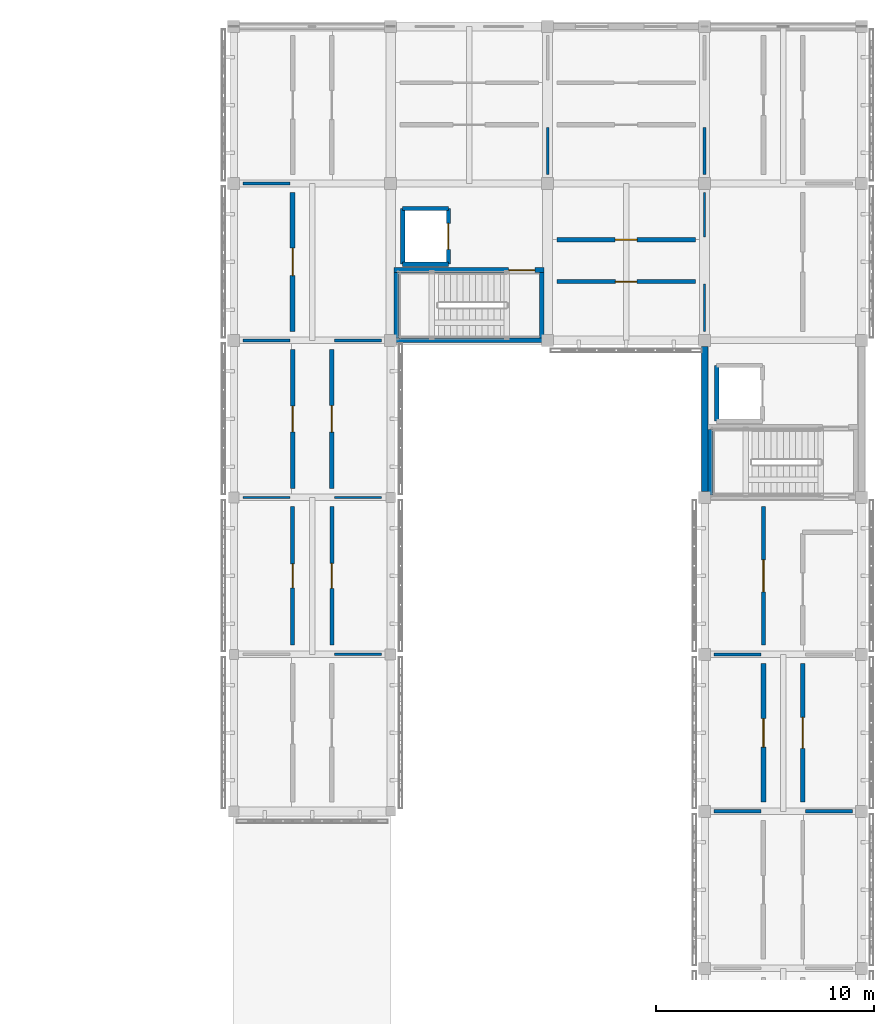
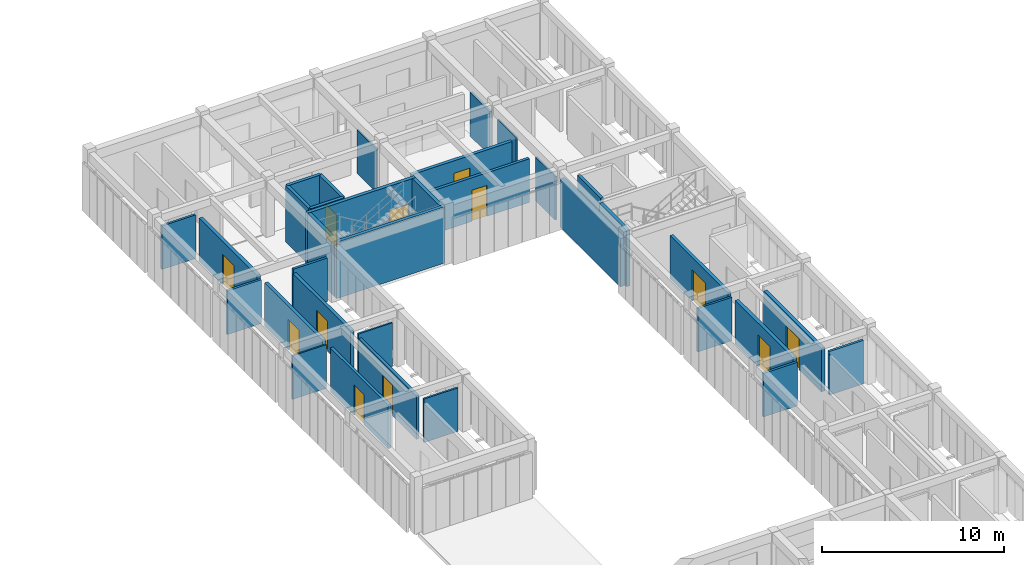
# One storey, part 58 of 67: 34 walls, 12 doors, 12 openings.
"""IFC4 building model written with IfcOpenShell, lengths in metres."""

from ifc_helpers import new_model, si_unit, direction, frame, frame_2d, origin, place, context, subcontext, project, spatial, rectangle, extrude, material, layer, layer_set, type_object, element, fill, save


model = new_model("IFC4")

# Units and contexts
model_context = context("Model", 3, precision=1e-05, world=origin(), true_north=direction((0.0, 1.0)))
body_context = subcontext(model_context, "Body", "Model", "MODEL_VIEW")
ifc_project = project(units=[si_unit("LENGTHUNIT", "METRE"), si_unit("AREAUNIT", "SQUARE_METRE"), si_unit("VOLUMEUNIT", "CUBIC_METRE"), si_unit("PLANEANGLEUNIT", "RADIAN"), si_unit("MASSUNIT", "GRAM", prefix="KILO")], contexts=[model_context])

# Site, building, storey
site_placement = place(None, origin())
site = spatial("IfcSite", under=ifc_project, at=site_placement, CompositionType="ELEMENT")
building_placement = place(site_placement, origin())
building = spatial("IfcBuilding", under=site, at=building_placement, Name="Aldebral Square Health Centre", CompositionType="ELEMENT")
storey_placement = place(building_placement, frame((0.0, 0.0, 13.5)))
storey = spatial("IfcBuildingStorey", under=building, at=storey_placement, Name="L03", CompositionType="ELEMENT", Elevation=13.5)

# Wall
ifc_material_1 = material(Name="Precast concrete C40/50 insulated panel", Category="concrete")
ifc_layer_1 = layer(ifc_material_1, 0.300048828125, Name="Precast concrete C40/50 insulated panel", Category="concrete")
ifc_layer_set_1 = layer_set([ifc_layer_1], Name="Precast concrete C40/50 insulated panel")
wall_type_1 = type_object("IfcWallType", Name="EW-PRE-300", PredefinedType="STANDARD", material=ifc_layer_set_1)
wall_1_placement = place(storey_placement, frame((158.39990234375, 100.52490234375, 0.0), z_axis=(0.0, 0.0, 1.0), x_axis=(0.0, -1.0, 0.0)))
element("IfcWall", 1, at=wall_1_placement, inside=storey, type_object=wall_type_1, Name="L03 V5 exterior wall L03-V5-22-13-W", PredefinedType="STANDARD", context=body_context, shape_type="SweptSolid", body=[
    extrude(rectangle(XDim=6.64990234375, YDim=0.300048828125, at=frame_2d((3.324951171875, 0.0))), origin(), (0.0, 0.0, 1.0), 3.239990234375),
])

# Wall, opening, door
ifc_material_2 = material(Name="Concrete C35/45 compartment wall", Category="concrete")
ifc_layer_2 = layer(ifc_material_2, 0.199951171875, Name="Concrete C35/45 compartment wall", Category="concrete")
ifc_layer_set_2 = layer_set([ifc_layer_2], Name="Concrete C35/45 compartment wall")
wall_type_2 = type_object("IfcWallType", Name="IW-CMP-200", PredefinedType="SOLIDWALL", material=ifc_layer_set_2)
wall_2_placement = place(storey_placement, frame((161.10009765625, 86.820068359375, 0.0), z_axis=(0.0, 0.0, 1.0), x_axis=(0.0, 1.0, 0.0)))
wall_2 = element("IfcWall", 2, at=wall_2_placement, inside=storey, type_object=wall_type_2, Name="L03 Clinical Nutrition Office 23.13W corridor wall", PredefinedType="SOLIDWALL", context=body_context, shape_type="SweptSolid", body=[
    extrude(rectangle(XDim=6.35986328125, YDim=0.199951171875, at=frame_2d((3.179931640625, 0.0))), origin(), (0.0, 0.0, 1.0), 2.929931640625),
])
opening_1_placement = place(wall_2_placement, frame((2.449951171875, 0.0, 0.0)))
opening_1 = element("IfcOpeningElement", 3, at=opening_1_placement, cuts=wall_2, Name="Opening D-0597", PredefinedType="OPENING", context=body_context, shape_type="SweptSolid", body=[
    extrude(rectangle(XDim=1.4599609375, YDim=2.090087890625, at=frame_2d((0.72998046875, 1.044921875))), frame((0.0, 0.10986328125, 0.0), z_axis=(0.0, -1.0, 0.0), x_axis=(1.0, 0.0, 0.0)), (0.0, 0.0, 1.0), 0.219970703125),
])
ifc_material_3 = material(Name="Clinical suite fire door")
door_type_1 = type_object("IfcDoorType", Name="ID-EXD-30", OperationType="NOTDEFINED", PredefinedType="DOOR", material=ifc_material_3)
door_1_placement = place(opening_1_placement, origin())
door_1 = element("IfcDoor", 4, at=door_1_placement, inside=storey, type_object=door_type_1, Name="L03 Clinical Nutrition Office 23.13W door", OperationType="SINGLE_SWING_RIGHT", OverallHeight=2.090087890625, OverallWidth=1.4599609375, PredefinedType="DOOR", context=body_context, shape_type="SweptSolid", body=[
    extrude(rectangle(XDim=1.4599609375, YDim=2.090087890625, at=frame_2d((0.72998046875, 1.044921875))), frame((0.0, 0.02490234375, 0.0), z_axis=(0.0, -1.0, 0.0), x_axis=(1.0, 0.0, 0.0)), (0.0, 0.0, 1.0), 0.050048828125),
])
fill(opening_1, door_1)

ifc_layer_3 = layer(ifc_material_2, 0.219970703125, Name="Concrete C35/45 compartment wall", Category="concrete")
ifc_layer_set_3 = layer_set([ifc_layer_3], Name="Concrete C35/45 compartment wall")
wall_type_3 = type_object("IfcWallType", Name="IW-CMP-220", PredefinedType="SOLIDWALL", material=ifc_layer_set_3)
wall_3_placement = place(storey_placement, frame((139.5, 101.219970703125, 0.0), z_axis=(0.0, 0.0, 1.0), x_axis=(0.0, 1.0, 0.0)))
wall_3 = element("IfcWall", 5, at=wall_3_placement, inside=storey, type_object=wall_type_3, Name="L03 Cardiology Diagnostic Clinic 20.15W corridor wall", PredefinedType="SOLIDWALL", context=body_context, shape_type="SweptSolid", body=[
    extrude(rectangle(XDim=6.360107421875, YDim=0.219970703125, at=frame_2d((3.18017578125, 0.0))), origin(), (0.0, 0.0, 1.0), 2.929931640625),
])
opening_2_placement = place(wall_3_placement, frame((2.550048828125, 0.0, 0.0)))
opening_2 = element("IfcOpeningElement", 6, at=opening_2_placement, cuts=wall_3, Name="Opening D-0576", PredefinedType="OPENING", context=body_context, shape_type="SweptSolid", body=[
    extrude(rectangle(XDim=1.260009765625, YDim=2.0400390625, at=frame_2d((0.6298828125, 1.02001953125))), frame((0.0, 0.1201171875, 0.0), z_axis=(0.0, -1.0, 0.0), x_axis=(1.0, 0.0, 0.0)), (0.0, 0.0, 1.0), 0.239990234375),
])
door_type_2 = type_object("IfcDoorType", Name="ID-EXD-09", OperationType="NOTDEFINED", PredefinedType="DOOR", material=ifc_material_3)
door_2_placement = place(opening_2_placement, origin())
door_2 = element("IfcDoor", 7, at=door_2_placement, inside=storey, type_object=door_type_2, Name="L03 Cardiology Diagnostic Clinic 20.15W door", OperationType="SINGLE_SWING_LEFT", OverallHeight=2.0400390625, OverallWidth=1.260009765625, PredefinedType="DOOR", context=body_context, shape_type="SweptSolid", body=[
    extrude(rectangle(XDim=1.260009765625, YDim=2.0400390625, at=frame_2d((0.6298828125, 1.02001953125))), frame((0.0, 0.02490234375, 0.0), z_axis=(0.0, -1.0, 0.0), x_axis=(1.0, 0.0, 0.0)), (0.0, 0.0, 1.0), 0.050048828125),
])
fill(opening_2, door_2)

wall_4_placement = place(storey_placement, frame((161.10009765625, 79.6201171875, 0.0), z_axis=(0.0, 0.0, 1.0), x_axis=(0.0, 1.0, 0.0)))
wall_4 = element("IfcWall", 8, at=wall_4_placement, inside=storey, type_object=wall_type_3, Name="L03 ECG Stress Test Suite 23.12W corridor wall", PredefinedType="SOLIDWALL", context=body_context, shape_type="SweptSolid", body=[
    extrude(rectangle(XDim=6.35986328125, YDim=0.219970703125, at=frame_2d((3.179931640625, 0.0))), origin(), (0.0, 0.0, 1.0), 2.929931640625),
])
opening_3_placement = place(wall_4_placement, frame((2.530029296875, 0.0, 0.0)))
opening_3 = element("IfcOpeningElement", 9, at=opening_3_placement, cuts=wall_4, Name="Opening D-0595", PredefinedType="OPENING", context=body_context, shape_type="SweptSolid", body=[
    extrude(rectangle(XDim=1.300048828125, YDim=2.14990234375, at=frame_2d((0.64990234375, 1.074951171875))), frame((0.0, 0.1201171875, 0.0), z_axis=(0.0, -1.0, 0.0), x_axis=(1.0, 0.0, 0.0)), (0.0, 0.0, 1.0), 0.239990234375),
])
ifc_material_4 = material(Name="Radiography shielded fire door")
door_type_3 = type_object("IfcDoorType", Name="ID-IM-130", OperationType="NOTDEFINED", PredefinedType="DOOR", material=ifc_material_4)
door_3_placement = place(opening_3_placement, origin())
door_3 = element("IfcDoor", 10, at=door_3_placement, inside=storey, type_object=door_type_3, Name="L03 ECG Stress Test Suite 23.12W door", OperationType="SINGLE_SWING_RIGHT", OverallHeight=2.14990234375, OverallWidth=1.300048828125, PredefinedType="DOOR", context=body_context, shape_type="SweptSolid", body=[
    extrude(rectangle(XDim=1.300048828125, YDim=2.14990234375, at=frame_2d((0.64990234375, 1.074951171875))), frame((0.0, 0.02490234375, 0.0), z_axis=(0.0, -1.0, 0.0), x_axis=(1.0, 0.0, 0.0)), (0.0, 0.0, 1.0), 0.050048828125),
])
fill(opening_3, door_3)

wall_5_placement = place(storey_placement, frame((162.89990234375, 79.6201171875, 0.0), z_axis=(0.0, 0.0, 1.0), x_axis=(0.0, 1.0, 0.0)))
wall_5 = element("IfcWall", 11, at=wall_5_placement, inside=storey, type_object=wall_type_3, Name="L03 Endocrinology Specialist Clinic 23.12E corridor wall", PredefinedType="SOLIDWALL", context=body_context, shape_type="SweptSolid", body=[
    extrude(rectangle(XDim=6.35986328125, YDim=0.219970703125, at=frame_2d((3.179931640625, 0.0))), origin(), (0.0, 0.0, 1.0), 2.929931640625),
])
opening_4_placement = place(wall_5_placement, frame((2.469970703125, 0.0, 0.0)))
opening_4 = element("IfcOpeningElement", 12, at=opening_4_placement, cuts=wall_5, Name="Opening D-0596", PredefinedType="OPENING", context=body_context, shape_type="SweptSolid", body=[
    extrude(rectangle(XDim=1.419921875, YDim=2.090087890625, at=frame_2d((0.7099609375, 1.044921875))), frame((0.0, 0.1201171875, 0.0), z_axis=(0.0, -1.0, 0.0), x_axis=(1.0, 0.0, 0.0)), (0.0, 0.0, 1.0), 0.239990234375),
])
door_type_4 = type_object("IfcDoorType", Name="ID-EXD-29", OperationType="NOTDEFINED", PredefinedType="DOOR", material=ifc_material_3)
door_4_placement = place(opening_4_placement, origin())
door_4 = element("IfcDoor", 13, at=door_4_placement, inside=storey, type_object=door_type_4, Name="L03 Endocrinology Specialist Clinic 23.12E door", OperationType="SINGLE_SWING_LEFT", OverallHeight=2.090087890625, OverallWidth=1.419921875, PredefinedType="DOOR", context=body_context, shape_type="SweptSolid", body=[
    extrude(rectangle(XDim=1.419921875, YDim=2.090087890625, at=frame_2d((0.7099609375, 1.044921875))), frame((0.0, 0.02490234375, 0.0), z_axis=(0.0, -1.0, 0.0), x_axis=(1.0, 0.0, 0.0)), (0.0, 0.0, 1.0), 0.050048828125),
])
fill(opening_4, door_4)

ifc_material_5 = material(Name="Fire-rated acoustic gypsum partition")
ifc_layer_4 = layer(ifc_material_5, 0.179931640625, Name="Fire-rated acoustic gypsum partition")
ifc_layer_set_4 = layer_set([ifc_layer_4], Name="Fire-rated acoustic gypsum partition")
wall_type_4 = type_object("IfcWallType", Name="IW-COR-180", PredefinedType="PARTITIONING", material=ifc_layer_set_4)
wall_6_placement = place(storey_placement, frame((139.5, 86.820068359375, 0.0), z_axis=(0.0, 0.0, 1.0), x_axis=(0.0, 1.0, 0.0)))
wall_6 = element("IfcWall", 14, at=wall_6_placement, inside=storey, type_object=wall_type_4, Name="L03 Endocrinology Specialist Clinic 20.13W corridor wall", PredefinedType="PARTITIONING", context=body_context, shape_type="SweptSolid", body=[
    extrude(rectangle(XDim=6.35986328125, YDim=0.179931640625, at=frame_2d((3.179931640625, 0.0))), origin(), (0.0, 0.0, 1.0), 2.929931640625),
])
opening_5_placement = place(wall_6_placement, frame((2.6298828125, 0.0, 0.0)))
opening_5 = element("IfcOpeningElement", 15, at=opening_5_placement, cuts=wall_6, Name="Opening D-0572", PredefinedType="OPENING", context=body_context, shape_type="SweptSolid", body=[
    extrude(rectangle(XDim=1.10009765625, YDim=2.0400390625, at=frame_2d((0.550048828125, 1.02001953125))), frame((0.0, 0.10009765625, 0.0), z_axis=(0.0, -1.0, 0.0), x_axis=(1.0, 0.0, 0.0)), (0.0, 0.0, 1.0), 0.199951171875),
])
door_type_5 = type_object("IfcDoorType", Name="ID-EXD-05", OperationType="NOTDEFINED", PredefinedType="DOOR", material=ifc_material_3)
door_5_placement = place(opening_5_placement, origin())
door_5 = element("IfcDoor", 16, at=door_5_placement, inside=storey, type_object=door_type_5, Name="L03 Endocrinology Specialist Clinic 20.13W door", OperationType="SINGLE_SWING_LEFT", OverallHeight=2.0400390625, OverallWidth=1.10009765625, PredefinedType="DOOR", context=body_context, shape_type="SweptSolid", body=[
    extrude(rectangle(XDim=1.10009765625, YDim=2.0400390625, at=frame_2d((0.550048828125, 1.02001953125))), frame((0.0, 0.02490234375, 0.0), z_axis=(0.0, -1.0, 0.0), x_axis=(1.0, 0.0, 0.0)), (0.0, 0.0, 1.0), 0.050048828125),
])
fill(opening_5, door_5)

wall_7_placement = place(storey_placement, frame((141.300048828125, 86.820068359375, 0.0), z_axis=(0.0, 0.0, 1.0), x_axis=(0.0, 1.0, 0.0)))
wall_7 = element("IfcWall", 17, at=wall_7_placement, inside=storey, type_object=wall_type_4, Name="L03 Clinical Nutrition Office 20.13E corridor wall", PredefinedType="PARTITIONING", context=body_context, shape_type="SweptSolid", body=[
    extrude(rectangle(XDim=6.35986328125, YDim=0.179931640625, at=frame_2d((3.179931640625, 0.0))), origin(), (0.0, 0.0, 1.0), 2.929931640625),
])
opening_6_placement = place(wall_7_placement, frame((2.610107421875, 0.0, 0.0)))
opening_6 = element("IfcOpeningElement", 18, at=opening_6_placement, cuts=wall_7, Name="Opening D-0573", PredefinedType="OPENING", context=body_context, shape_type="SweptSolid", body=[
    extrude(rectangle(XDim=1.139892578125, YDim=2.0400390625, at=frame_2d((0.56982421875, 1.02001953125))), frame((0.0, 0.10009765625, 0.0), z_axis=(0.0, -1.0, 0.0), x_axis=(1.0, 0.0, 0.0)), (0.0, 0.0, 1.0), 0.199951171875),
])
door_type_6 = type_object("IfcDoorType", Name="ID-EXD-06", OperationType="NOTDEFINED", PredefinedType="DOOR", material=ifc_material_3)
door_6_placement = place(opening_6_placement, origin())
door_6 = element("IfcDoor", 19, at=door_6_placement, inside=storey, type_object=door_type_6, Name="L03 Clinical Nutrition Office 20.13E door", OperationType="SINGLE_SWING_RIGHT", OverallHeight=2.0400390625, OverallWidth=1.139892578125, PredefinedType="DOOR", context=body_context, shape_type="SweptSolid", body=[
    extrude(rectangle(XDim=1.139892578125, YDim=2.0400390625, at=frame_2d((0.56982421875, 1.02001953125))), frame((0.0, 0.02490234375, 0.0), z_axis=(0.0, -1.0, 0.0), x_axis=(1.0, 0.0, 0.0)), (0.0, 0.0, 1.0), 0.050048828125),
])
fill(opening_6, door_6)

wall_8_placement = place(storey_placement, frame((151.6201171875, 103.5, 0.0), z_axis=(0.0, 0.0, 1.0), x_axis=(1.0, 0.0, 0.0)))
wall_8 = element("IfcWall", 20, at=wall_8_placement, inside=storey, type_object=wall_type_4, Name="L03 Clinical Nutrition Office 22.15S corridor wall", PredefinedType="PARTITIONING", context=body_context, shape_type="SweptSolid", body=[
    extrude(rectangle(XDim=6.35986328125, YDim=0.179931640625, at=frame_2d((3.179931640625, 0.0))), origin(), (0.0, 0.0, 1.0), 2.929931640625),
])
opening_7_placement = place(wall_8_placement, frame((2.68994140625, 0.0, 0.0)))
opening_7 = element("IfcOpeningElement", 21, at=opening_7_placement, cuts=wall_8, Name="Opening D-0585", PredefinedType="OPENING", context=body_context, shape_type="SweptSolid", body=[
    extrude(rectangle(XDim=0.97998046875, YDim=2.090087890625, at=frame_2d((0.489990234375, 1.044921875))), frame((0.0, 0.10009765625, 0.0), z_axis=(0.0, -1.0, 0.0), x_axis=(1.0, 0.0, 0.0)), (0.0, 0.0, 1.0), 0.199951171875),
])
door_type_7 = type_object("IfcDoorType", Name="ID-EXD-18", OperationType="NOTDEFINED", PredefinedType="DOOR", material=ifc_material_3)
door_7_placement = place(opening_7_placement, origin())
door_7 = element("IfcDoor", 22, at=door_7_placement, inside=storey, type_object=door_type_7, Name="L03 Clinical Nutrition Office 22.15S door", OperationType="SINGLE_SWING_RIGHT", OverallHeight=2.090087890625, OverallWidth=0.97998046875, PredefinedType="DOOR", context=body_context, shape_type="SweptSolid", body=[
    extrude(rectangle(XDim=0.97998046875, YDim=2.090087890625, at=frame_2d((0.489990234375, 1.044921875))), frame((0.0, 0.02490234375, 0.0), z_axis=(0.0, -1.0, 0.0), x_axis=(1.0, 0.0, 0.0)), (0.0, 0.0, 1.0), 0.050048828125),
])
fill(opening_7, door_7)

# Walls
ifc_material_6 = material(Name="Concrete C40/50", Category="concrete")
ifc_layer_5 = layer(ifc_material_6, 0.219970703125, Name="Concrete C40/50", Category="concrete")
ifc_layer_set_5 = layer_set([ifc_layer_5], Name="Concrete C40/50")
wall_type_5 = type_object("IfcWallType", Name="IW-CORE-280", PredefinedType="SHEAR", material=ifc_layer_set_5)
wall_9_placement = place(storey_placement, frame((158.669921875, 93.719970703125, 0.0), z_axis=(0.0, 0.0, 1.0), x_axis=(0.0, 1.0, 0.0)))
element("IfcWall", 23, at=wall_9_placement, inside=storey, type_object=wall_type_5, Name="L03 WC-C3 shaft wall W", PredefinedType="SHEAR", context=body_context, shape_type="SweptSolid", body=[
    extrude(rectangle(XDim=3.0, YDim=0.219970703125, at=frame_2d((1.5, 0.0))), origin(), (0.0, 0.0, 1.0), 3.7900390625),
])
wall_10_placement = place(storey_placement, frame((144.159912109375, 100.81005859375, 0.0), z_axis=(0.0, 0.0, 1.0), x_axis=(1.0, 0.0, 0.0)))
element("IfcWall", 24, at=wall_10_placement, inside=storey, type_object=wall_type_5, Name="L03 WC-C4 shaft wall S", PredefinedType="SHEAR", context=body_context, shape_type="SweptSolid", body=[
    extrude(rectangle(XDim=6.880126953125, YDim=0.219970703125, at=frame_2d((3.43994140625, 0.0))), origin(), (0.0, 0.0, 1.0), 3.7900390625),
])

# Wall, opening, door
wall_11_placement = place(storey_placement, frame((144.159912109375, 104.030029296875, 0.0), z_axis=(0.0, 0.0, 1.0), x_axis=(1.0, 0.0, 0.0)))
wall_11 = element("IfcWall", 25, at=wall_11_placement, inside=storey, type_object=wall_type_5, Name="L03 WC-C4 shaft wall N", PredefinedType="SHEAR", context=body_context, shape_type="SweptSolid", body=[
    extrude(rectangle(XDim=6.880126953125, YDim=0.219970703125, at=frame_2d((3.43994140625, 0.0))), origin(), (0.0, 0.0, 1.0), 3.7900390625),
])
opening_8_placement = place(wall_11_placement, frame((5.25, 0.0, 0.0)))
opening_8 = element("IfcOpeningElement", 26, at=opening_8_placement, cuts=wall_11, Name="Opening D-0050", PredefinedType="OPENING", context=body_context, shape_type="SweptSolid", body=[
    extrude(rectangle(XDim=1.199951171875, YDim=2.14990234375, at=frame_2d((0.60009765625, 1.074951171875))), frame((0.0, 0.1201171875, 0.0), z_axis=(0.0, -1.0, 0.0), x_axis=(1.0, 0.0, 0.0)), (0.0, 0.0, 1.0), 0.239990234375),
])
ifc_material_7 = material(Name="Fire-rated steel stair door", Category="steel")
door_type_8 = type_object("IfcDoorType", Name="ID-ST-120", OperationType="NOTDEFINED", PredefinedType="DOOR", material=ifc_material_7)
door_8_placement = place(opening_8_placement, origin())
door_8 = element("IfcDoor", 27, at=door_8_placement, inside=storey, type_object=door_type_8, Name="L03 ST-04 fire door", OperationType="SINGLE_SWING_LEFT", OverallHeight=2.14990234375, OverallWidth=1.199951171875, PredefinedType="DOOR", context=body_context, shape_type="SweptSolid", body=[
    extrude(rectangle(XDim=1.199951171875, YDim=2.14990234375, at=frame_2d((0.60009765625, 1.074951171875))), frame((0.0, 0.02490234375, 0.0), z_axis=(0.0, -1.0, 0.0), x_axis=(1.0, 0.0, 0.0)), (0.0, 0.0, 1.0), 0.050048828125),
])
fill(opening_8, door_8)

# Walls
for number, where, z_axis, x_axis, name in (
    (28, (144.27001953125, 100.919921875, 0.0), (0.0, 0.0, 1.0), (0.0, 1.0, 0.0), "L03 WC-C4 shaft wall W"),
    (29, (150.929931640625, 100.919921875, 0.0), (0.0, 0.0, 1.0), (0.0, 1.0, 0.0), "L03 WC-C4 shaft wall E"),
):
    element("IfcWall", number, at=place(storey_placement, frame(where, z_axis=z_axis, x_axis=x_axis)), inside=storey, type_object=wall_type_5, Name=name, PredefinedType="SHEAR", context=body_context, shape_type="SweptSolid", body=[
        extrude(rectangle(XDim=3.0, YDim=0.219970703125, at=frame_2d((1.5, 0.0))), origin(), (0.0, 0.0, 1.0), 3.7900390625),
    ])
ifc_layer_6 = layer(ifc_material_6, 0.199951171875, Name="Concrete C40/50", Category="concrete")
ifc_layer_set_6 = layer_set([ifc_layer_6], Name="Concrete C40/50")
wall_type_6 = type_object("IfcWallType", Name="IW-LFT-250", PredefinedType="SHEAR", material=ifc_layer_set_6)
wall_12_placement = place(storey_placement, frame((158.949951171875, 97.10009765625, 0.0), z_axis=(0.0, 0.0, 1.0), x_axis=(0.0, 1.0, 0.0)))
element("IfcWall", 30, at=wall_12_placement, inside=storey, type_object=wall_type_6, Name="L03 LF-03 shaft wall W", PredefinedType="SHEAR", context=body_context, shape_type="SweptSolid", body=[
    extrude(rectangle(XDim=2.5498046875, YDim=0.199951171875, at=frame_2d((1.27490234375, 0.0))), origin(), (0.0, 0.0, 1.0), 3.7900390625),
])
wall_13_placement = place(storey_placement, frame((144.550048828125, 104.300048828125, 0.0), z_axis=(0.0, 0.0, 1.0), x_axis=(1.0, 0.0, 0.0)))
element("IfcWall", 31, at=wall_13_placement, inside=storey, type_object=wall_type_6, Name="L03 LF-04 shaft wall S", PredefinedType="SHEAR", context=body_context, shape_type="SweptSolid", body=[
    extrude(rectangle(XDim=2.099853515625, YDim=0.199951171875, at=frame_2d((1.0498046875, 0.0))), origin(), (0.0, 0.0, 1.0), 3.7900390625),
])
wall_14_placement = place(storey_placement, frame((144.550048828125, 104.300048828125, 0.0), z_axis=(0.0, 0.0, 1.0), x_axis=(0.0, 1.0, 0.0)))
element("IfcWall", 32, at=wall_14_placement, inside=storey, type_object=wall_type_6, Name="L03 LF-04 shaft wall W", PredefinedType="SHEAR", context=body_context, shape_type="SweptSolid", body=[
    extrude(rectangle(XDim=2.550048828125, YDim=0.199951171875, at=frame_2d((1.27490234375, 0.0))), origin(), (0.0, 0.0, 1.0), 3.7900390625),
])
wall_15_placement = place(storey_placement, frame((144.550048828125, 106.85009765625, 0.0), z_axis=(0.0, 0.0, 1.0), x_axis=(1.0, 0.0, 0.0)))
element("IfcWall", 33, at=wall_15_placement, inside=storey, type_object=wall_type_6, Name="L03 LF-04 shaft wall N", PredefinedType="SHEAR", context=body_context, shape_type="SweptSolid", body=[
    extrude(rectangle(XDim=2.099853515625, YDim=0.199951171875, at=frame_2d((1.0498046875, 0.0))), origin(), (0.0, 0.0, 1.0), 3.7900390625),
])

# Wall, opening, door
wall_16_placement = place(storey_placement, frame((146.64990234375, 104.300048828125, 0.0), z_axis=(0.0, 0.0, 1.0), x_axis=(0.0, 1.0, 0.0)))
wall_16 = element("IfcWall", 34, at=wall_16_placement, inside=storey, type_object=wall_type_6, Name="L03 LF-04 landing wall", PredefinedType="SHEAR", context=body_context, shape_type="SweptSolid", body=[
    extrude(rectangle(XDim=2.550048828125, YDim=0.199951171875, at=frame_2d((1.27490234375, 0.0))), origin(), (0.0, 0.0, 1.0), 3.7900390625),
])
opening_9_placement = place(wall_16_placement, frame((0.675048828125, 0.0, 0.0)))
opening_9 = element("IfcOpeningElement", 35, at=opening_9_placement, cuts=wall_16, Name="Opening D-0051", PredefinedType="OPENING", context=body_context, shape_type="SweptSolid", body=[
    extrude(rectangle(XDim=1.199951171875, YDim=2.14990234375, at=frame_2d((0.60009765625, 1.074951171875))), frame((0.0, 0.10986328125, 0.0), z_axis=(0.0, -1.0, 0.0), x_axis=(1.0, 0.0, 0.0)), (0.0, 0.0, 1.0), 0.219970703125),
])
ifc_material_8 = material(Name="Stainless steel passenger lift landing door", Category="steel")
door_type_9 = type_object("IfcDoorType", Name="ID-LD-120", OperationType="SLIDING_TO_LEFT", PredefinedType="DOOR", material=ifc_material_8)
door_9_placement = place(opening_9_placement, origin())
door_9 = element("IfcDoor", 36, at=door_9_placement, inside=storey, type_object=door_type_9, Name="L03 LF-04 sliding landing door", OperationType="SLIDING_TO_LEFT", OverallHeight=2.14990234375, OverallWidth=1.199951171875, PredefinedType="DOOR", context=body_context, shape_type="SweptSolid", body=[
    extrude(rectangle(XDim=1.199951171875, YDim=2.14990234375, at=frame_2d((0.60009765625, 1.074951171875))), frame((0.0, 0.02490234375, 0.0), z_axis=(0.0, -1.0, 0.0), x_axis=(1.0, 0.0, 0.0)), (0.0, 0.0, 1.0), 0.050048828125),
])
fill(opening_9, door_9)

ifc_material_9 = material(Name="Moisture-resistant sanitary chase wall")
ifc_layer_7 = layer(ifc_material_9, 0.2099609375, Name="Moisture-resistant sanitary chase wall")
ifc_layer_set_7 = layer_set([ifc_layer_7], Name="Moisture-resistant sanitary chase wall")
wall_type_7 = type_object("IfcWallType", Name="IW-PLB-210", PredefinedType="PLUMBINGWALL", material=ifc_layer_set_7)
wall_17_placement = place(storey_placement, frame((139.5, 94.02001953125, 0.0), z_axis=(0.0, 0.0, 1.0), x_axis=(0.0, 1.0, 0.0)))
wall_17 = element("IfcWall", 37, at=wall_17_placement, inside=storey, type_object=wall_type_7, Name="L03 Accessible WC 20.14W corridor wall", PredefinedType="PLUMBINGWALL", context=body_context, shape_type="SweptSolid", body=[
    extrude(rectangle(XDim=6.35986328125, YDim=0.2099609375, at=frame_2d((3.179931640625, 0.0))), origin(), (0.0, 0.0, 1.0), 2.929931640625),
])
opening_10_placement = place(wall_17_placement, frame((2.590087890625, 0.0, 0.0)))
opening_10 = element("IfcOpeningElement", 38, at=opening_10_placement, cuts=wall_17, Name="Opening D-0574", PredefinedType="OPENING", context=body_context, shape_type="SweptSolid", body=[
    extrude(rectangle(XDim=1.179931640625, YDim=2.0400390625, at=frame_2d((0.58984375, 1.02001953125))), frame((0.0, 0.114990234375, 0.0), z_axis=(0.0, -1.0, 0.0), x_axis=(1.0, 0.0, 0.0)), (0.0, 0.0, 1.0), 0.22998046875),
])
door_type_10 = type_object("IfcDoorType", Name="ID-EXD-07", OperationType="NOTDEFINED", PredefinedType="DOOR", material=ifc_material_3)
door_10_placement = place(opening_10_placement, origin())
door_10 = element("IfcDoor", 39, at=door_10_placement, inside=storey, type_object=door_type_10, Name="L03 Accessible WC 20.14W door", OperationType="SINGLE_SWING_LEFT", OverallHeight=2.0400390625, OverallWidth=1.179931640625, PredefinedType="DOOR", context=body_context, shape_type="SweptSolid", body=[
    extrude(rectangle(XDim=1.179931640625, YDim=2.0400390625, at=frame_2d((0.58984375, 1.02001953125))), frame((0.0, 0.02490234375, 0.0), z_axis=(0.0, -1.0, 0.0), x_axis=(1.0, 0.0, 0.0)), (0.0, 0.0, 1.0), 0.050048828125),
])
fill(opening_10, door_10)

wall_18_placement = place(storey_placement, frame((141.300048828125, 94.02001953125, 0.0), z_axis=(0.0, 0.0, 1.0), x_axis=(0.0, 1.0, 0.0)))
wall_18 = element("IfcWall", 40, at=wall_18_placement, inside=storey, type_object=wall_type_7, Name="L03 Patient Toilet 20.14E corridor wall", PredefinedType="PLUMBINGWALL", context=body_context, shape_type="SweptSolid", body=[
    extrude(rectangle(XDim=6.35986328125, YDim=0.2099609375, at=frame_2d((3.179931640625, 0.0))), origin(), (0.0, 0.0, 1.0), 2.929931640625),
])
opening_11_placement = place(wall_18_placement, frame((2.570068359375, 0.0, 0.0)))
opening_11 = element("IfcOpeningElement", 41, at=opening_11_placement, cuts=wall_18, Name="Opening D-0575", PredefinedType="OPENING", context=body_context, shape_type="SweptSolid", body=[
    extrude(rectangle(XDim=1.219970703125, YDim=2.0400390625, at=frame_2d((0.60986328125, 1.02001953125))), frame((0.0, 0.114990234375, 0.0), z_axis=(0.0, -1.0, 0.0), x_axis=(1.0, 0.0, 0.0)), (0.0, 0.0, 1.0), 0.22998046875),
])
door_type_11 = type_object("IfcDoorType", Name="ID-EXD-08", OperationType="NOTDEFINED", PredefinedType="DOOR", material=ifc_material_3)
door_11_placement = place(opening_11_placement, origin())
door_11 = element("IfcDoor", 42, at=door_11_placement, inside=storey, type_object=door_type_11, Name="L03 Patient Toilet 20.14E door", OperationType="SINGLE_SWING_RIGHT", OverallHeight=2.0400390625, OverallWidth=1.219970703125, PredefinedType="DOOR", context=body_context, shape_type="SweptSolid", body=[
    extrude(rectangle(XDim=1.219970703125, YDim=2.0400390625, at=frame_2d((0.60986328125, 1.02001953125))), frame((0.0, 0.02490234375, 0.0), z_axis=(0.0, -1.0, 0.0), x_axis=(1.0, 0.0, 0.0)), (0.0, 0.0, 1.0), 0.050048828125),
])
fill(opening_11, door_11)

wall_19_placement = place(storey_placement, frame((151.6201171875, 105.419921875, 0.0), z_axis=(0.0, 0.0, 1.0), x_axis=(1.0, 0.0, 0.0)))
wall_19 = element("IfcWall", 43, at=wall_19_placement, inside=storey, type_object=wall_type_7, Name="L03 Accessible WC 22.15N corridor wall", PredefinedType="PLUMBINGWALL", context=body_context, shape_type="SweptSolid", body=[
    extrude(rectangle(XDim=6.35986328125, YDim=0.2099609375, at=frame_2d((3.179931640625, 0.0))), origin(), (0.0, 0.0, 1.0), 2.929931640625),
])
opening_12_placement = place(wall_19_placement, frame((2.669921875, 0.0, 0.0)))
opening_12 = element("IfcOpeningElement", 44, at=opening_12_placement, cuts=wall_19, Name="Opening D-0586", PredefinedType="OPENING", context=body_context, shape_type="SweptSolid", body=[
    extrude(rectangle(XDim=1.02001953125, YDim=2.090087890625, at=frame_2d((0.510009765625, 1.044921875))), frame((0.0, 0.114990234375, 0.0), z_axis=(0.0, -1.0, 0.0), x_axis=(1.0, 0.0, 0.0)), (0.0, 0.0, 1.0), 0.22998046875),
])
door_type_12 = type_object("IfcDoorType", Name="ID-EXD-19", OperationType="NOTDEFINED", PredefinedType="DOOR", material=ifc_material_3)
door_12_placement = place(opening_12_placement, origin())
door_12 = element("IfcDoor", 45, at=door_12_placement, inside=storey, type_object=door_type_12, Name="L03 Accessible WC 22.15N door", OperationType="SINGLE_SWING_LEFT", OverallHeight=2.090087890625, OverallWidth=1.02001953125, PredefinedType="DOOR", context=body_context, shape_type="SweptSolid", body=[
    extrude(rectangle(XDim=1.02001953125, YDim=2.090087890625, at=frame_2d((0.510009765625, 1.044921875))), frame((0.0, 0.02490234375, 0.0), z_axis=(0.0, -1.0, 0.0), x_axis=(1.0, 0.0, 0.0)), (0.0, 0.0, 1.0), 0.050048828125),
])
fill(opening_12, door_12)

# Walls
ifc_material_10 = material(Name="Lightweight clinical partition")
ifc_layer_8 = layer(ifc_material_10, 0.10498046875, Name="Lightweight clinical partition")
ifc_layer_set_8 = layer_set([ifc_layer_8], Name="Lightweight clinical partition")
wall_type_8 = type_object("IfcWallType", Name="IW-PRT-105", PredefinedType="PARTITIONING", material=ifc_layer_set_8)
wall_20_placement = place(storey_placement, frame((137.219970703125, 93.60009765625, 0.0), z_axis=(0.0, 0.0, 1.0), x_axis=(1.0, 0.0, 0.0)))
element("IfcWall", 46, at=wall_20_placement, inside=storey, type_object=wall_type_8, Name="L03 Endocrinology Specialist Clinic 20.13W demising partition", PredefinedType="PARTITIONING", context=body_context, shape_type="SweptSolid", body=[
    extrude(rectangle(XDim=2.159912109375, YDim=0.10498046875, at=frame_2d((1.080078125, 0.0))), origin(), (0.0, 0.0, 1.0), 2.929931640625),
])
for number, where, z_axis, x_axis, name in (
    (47, (141.419921875, 93.60009765625, 0.0), (0.0, 0.0, 1.0), (1.0, 0.0, 0.0), "L03 Clinical Nutrition Office 20.13E demising partition"),
    (48, (151.199951171875, 108.419921875, 0.0), (0.0, 0.0, 1.0), (0.0, 1.0, 0.0), "L03 Patient Toilet 21.16S demising partition"),
):
    element("IfcWall", number, at=place(storey_placement, frame(where, z_axis=z_axis, x_axis=x_axis)), inside=storey, type_object=wall_type_8, Name=name, PredefinedType="PARTITIONING", context=body_context, shape_type="SweptSolid", body=[
        extrude(rectangle(XDim=2.16015625, YDim=0.10498046875, at=frame_2d((1.080078125, 0.0))), origin(), (0.0, 0.0, 1.0), 2.929931640625),
    ])
wall_21_placement = place(storey_placement, frame((158.39990234375, 101.219970703125, 0.0), z_axis=(0.0, 0.0, 1.0), x_axis=(0.0, 1.0, 0.0)))
element("IfcWall", 49, at=wall_21_placement, inside=storey, type_object=wall_type_8, Name="L03 Clinical Nutrition Office 22.15S demising partition", PredefinedType="PARTITIONING", context=body_context, shape_type="SweptSolid", body=[
    extrude(rectangle(XDim=2.159912109375, YDim=0.10498046875, at=frame_2d((1.080078125, 0.0))), origin(), (0.0, 0.0, 1.0), 2.929931640625),
])
wall_22_placement = place(storey_placement, frame((158.39990234375, 105.5400390625, 0.0), z_axis=(0.0, 0.0, 1.0), x_axis=(0.0, 1.0, 0.0)))
element("IfcWall", 50, at=wall_22_placement, inside=storey, type_object=wall_type_8, Name="L03 Accessible WC 22.15N demising partition", PredefinedType="PARTITIONING", context=body_context, shape_type="SweptSolid", body=[
    extrude(rectangle(XDim=2.0400390625, YDim=0.10498046875, at=frame_2d((1.02001953125, 0.0))), origin(), (0.0, 0.0, 1.0), 2.929931640625),
])
ifc_material_11 = material(Name="Acoustic clinical gypsum partition")
ifc_layer_9 = layer(ifc_material_11, 0.1201171875, Name="Acoustic clinical gypsum partition")
ifc_layer_set_9 = layer_set([ifc_layer_9], Name="Acoustic clinical gypsum partition")
wall_type_9 = type_object("IfcWallType", Name="IW-PRT-120", PredefinedType="PARTITIONING", material=ifc_layer_set_9)
wall_23_placement = place(storey_placement, frame((141.419921875, 86.39990234375, 0.0), z_axis=(0.0, 0.0, 1.0), x_axis=(1.0, 0.0, 0.0)))
element("IfcWall", 51, at=wall_23_placement, inside=storey, type_object=wall_type_9, Name="L03 ECG Stress Test Suite 20.12E demising partition", PredefinedType="PARTITIONING", context=body_context, shape_type="SweptSolid", body=[
    extrude(rectangle(XDim=2.16015625, YDim=0.1201171875, at=frame_2d((1.080078125, 0.0))), origin(), (0.0, 0.0, 1.0), 2.929931640625),
])
ifc_layer_10 = layer(ifc_material_11, 0.135009765625, Name="Acoustic clinical gypsum partition")
ifc_layer_set_10 = layer_set([ifc_layer_10], Name="Acoustic clinical gypsum partition")
wall_type_10 = type_object("IfcWallType", Name="IW-PRT-135", PredefinedType="PARTITIONING", material=ifc_layer_set_10)
for number, where, z_axis, x_axis, name in (
    (52, (137.219970703125, 108.0, 0.0), (0.0, 0.0, 1.0), (1.0, 0.0, 0.0), "L03 Cardiology Diagnostic Clinic 20.15W demising partition"),
    (53, (158.820068359375, 86.39990234375, 0.0), (0.0, 0.0, 1.0), (1.0, 0.0, 0.0), "L03 ECG Stress Test Suite 23.12W demising partition"),
):
    element("IfcWall", number, at=place(storey_placement, frame(where, z_axis=z_axis, x_axis=x_axis)), inside=storey, type_object=wall_type_10, Name=name, PredefinedType="PARTITIONING", context=body_context, shape_type="SweptSolid", body=[
        extrude(rectangle(XDim=2.159912109375, YDim=0.135009765625, at=frame_2d((1.080078125, 0.0))), origin(), (0.0, 0.0, 1.0), 2.929931640625),
    ])
ifc_layer_11 = layer(ifc_material_11, 0.14990234375, Name="Acoustic clinical gypsum partition")
ifc_layer_set_11 = layer_set([ifc_layer_11], Name="Acoustic clinical gypsum partition")
wall_type_11 = type_object("IfcWallType", Name="IW-PRT-150", PredefinedType="PARTITIONING", material=ifc_layer_set_11)
wall_24_placement = place(storey_placement, frame((137.219970703125, 100.800048828125, 0.0), z_axis=(0.0, 0.0, 1.0), x_axis=(1.0, 0.0, 0.0)))
element("IfcWall", 54, at=wall_24_placement, inside=storey, type_object=wall_type_11, Name="L03 Accessible WC 20.14W demising partition", PredefinedType="PARTITIONING", context=body_context, shape_type="SweptSolid", body=[
    extrude(rectangle(XDim=2.159912109375, YDim=0.14990234375, at=frame_2d((1.080078125, 0.0))), origin(), (0.0, 0.0, 1.0), 2.929931640625),
])
for number, where, z_axis, x_axis, name in (
    (55, (141.419921875, 100.800048828125, 0.0), (0.0, 0.0, 1.0), (1.0, 0.0, 0.0), "L03 Patient Toilet 20.14E demising partition"),
    (56, (158.39990234375, 108.419921875, 0.0), (0.0, 0.0, 1.0), (0.0, 1.0, 0.0), "L03 Patient Toilet 22.16S demising partition"),
):
    element("IfcWall", number, at=place(storey_placement, frame(where, z_axis=z_axis, x_axis=x_axis)), inside=storey, type_object=wall_type_11, Name=name, PredefinedType="PARTITIONING", context=body_context, shape_type="SweptSolid", body=[
        extrude(rectangle(XDim=2.16015625, YDim=0.14990234375, at=frame_2d((1.080078125, 0.0))), origin(), (0.0, 0.0, 1.0), 2.929931640625),
    ])
for number, where, z_axis, x_axis, name in (
    (57, (158.820068359375, 79.199951171875, 0.0), (0.0, 0.0, 1.0), (1.0, 0.0, 0.0), "L03 Patient Toilet 23.11W demising partition"),
    (58, (163.02001953125, 79.199951171875, 0.0), (0.0, 0.0, 1.0), (1.0, 0.0, 0.0), "L03 Cardiology Diagnostic Clinic 23.11E demising partition"),
):
    element("IfcWall", number, at=place(storey_placement, frame(where, z_axis=z_axis, x_axis=x_axis)), inside=storey, type_object=wall_type_11, Name=name, PredefinedType="PARTITIONING", context=body_context, shape_type="SweptSolid", body=[
        extrude(rectangle(XDim=2.159912109375, YDim=0.14990234375, at=frame_2d((1.080078125, 0.0))), origin(), (0.0, 0.0, 1.0), 2.929931640625),
    ])

save(model, "model.ifc")
